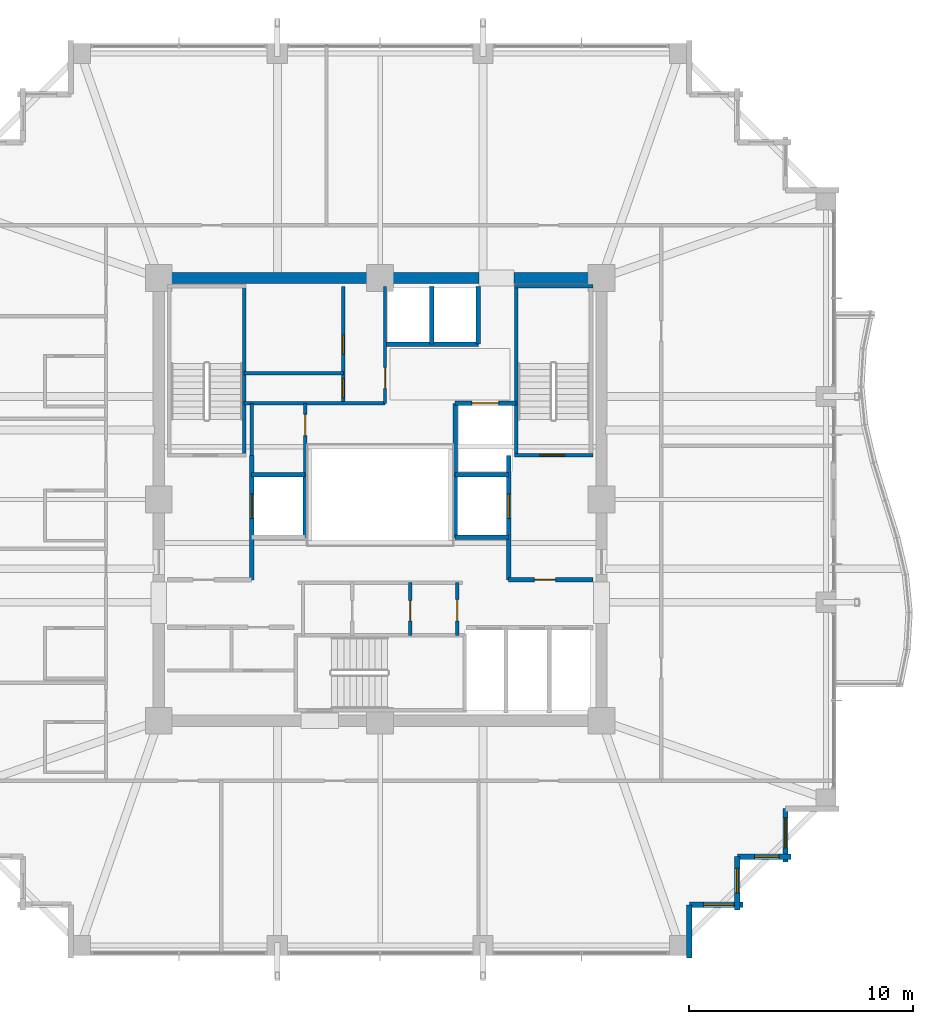
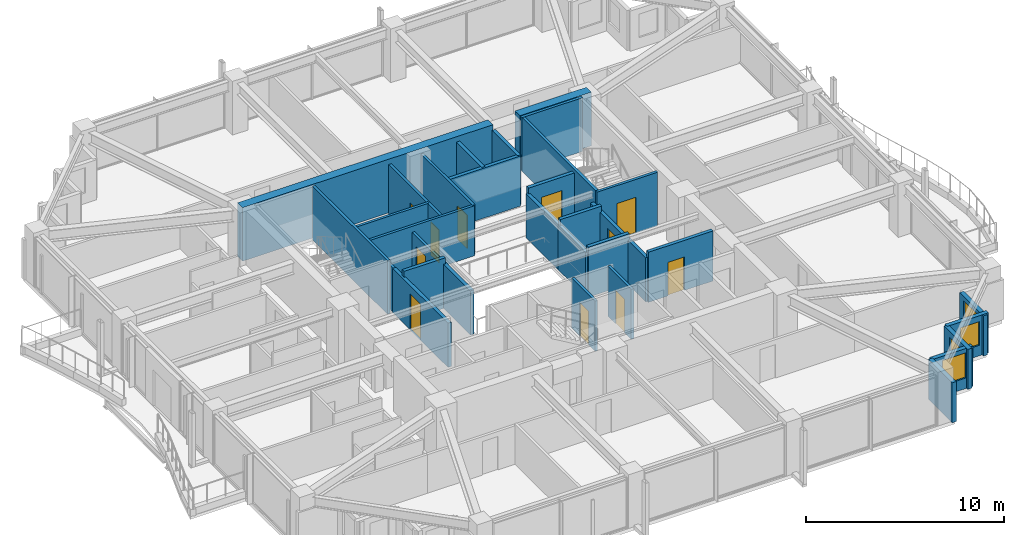
# One storey, part 31 of 35: 32 walls, 11 doors, 4 windows, 15 openings.
"""IFC4 building model written with IfcOpenShell, lengths in metres."""

from ifc_helpers import new_model, si_unit, direction, frame, frame_2d, origin, place, context, subcontext, project, spatial, rectangle, extrude, material, layer, layer_set, type_object, element, fill, save


model = new_model("IFC4")

# Units and contexts
model_context = context("Model", 3, precision=1e-05, world=origin(), true_north=direction((0.0, 1.0)))
body_context = subcontext(model_context, "Body", "Model", "MODEL_VIEW")
ifc_project = project(units=[si_unit("LENGTHUNIT", "METRE"), si_unit("AREAUNIT", "SQUARE_METRE"), si_unit("VOLUMEUNIT", "CUBIC_METRE"), si_unit("PLANEANGLEUNIT", "RADIAN"), si_unit("MASSUNIT", "GRAM", prefix="KILO")], contexts=[model_context])

# Site, building, storey
site_placement = place(None, origin())
site = spatial("IfcSite", under=ifc_project, at=site_placement, CompositionType="ELEMENT")
building_placement = place(site_placement, origin())
building = spatial("IfcBuilding", under=site, at=building_placement, Name="Kolvaren Belvedere", CompositionType="ELEMENT")
storey_placement = place(building_placement, frame((0.0, 0.0, 183.300048828125)))
storey = spatial("IfcBuildingStorey", under=building, at=storey_placement, Name="L53", CompositionType="ELEMENT", Elevation=183.300048828125)

# Walls
ifc_material_1 = material(Name="Concrete C50/60", Category="concrete")
ifc_layer_1 = layer(ifc_material_1, 0.5)
ifc_layer_set_1 = layer_set([ifc_layer_1], Name="Concrete C50/60")
wall_type_1 = type_object("IfcWallType", Name="CW-CORE-500", PredefinedType="SHEAR", material=ifc_layer_set_1)
wall_1_placement = place(storey_placement, frame((-10.14990234375, 9.89990234375, 0.0), z_axis=(0.0, 0.0, 1.0), x_axis=(1.0, 0.0, 0.0)))
element("IfcWall", 1, at=wall_1_placement, inside=storey, type_object=wall_type_1, Name="L53 North Core Shear Wall 1", PredefinedType="SHEAR", context=body_context, shape_type="SweptSolid", body=[
    extrude(rectangle(XDim=14.56982421875, YDim=0.5, at=frame_2d((7.284912109375, 0.0))), origin(), (0.0, 0.0, 1.0), 3.300048828125),
])
wall_2_placement = place(storey_placement, frame((5.97998046875, 9.89990234375, 0.0), z_axis=(0.0, 0.0, 1.0), x_axis=(1.0, 0.0, 0.0)))
element("IfcWall", 2, at=wall_2_placement, inside=storey, type_object=wall_type_1, Name="L53 North Core Shear Wall 2", PredefinedType="SHEAR", context=body_context, shape_type="SweptSolid", body=[
    extrude(rectangle(XDim=4.169921875, YDim=0.5, at=frame_2d((2.0849609375, 0.0))), origin(), (0.0, 0.0, 1.0), 3.300048828125),
])
ifc_material_2 = material(Name="Concrete C50/60", Category="concrete")
ifc_layer_2 = layer(ifc_material_2, 0.159912109375)
ifc_layer_set_2 = layer_set([ifc_layer_2], Name="Concrete C50/60")
wall_type_2 = type_object("IfcWallType", Name="CW-STAIR-160", PredefinedType="SHEAR", material=ifc_layer_set_2)
wall_3_placement = place(storey_placement, frame((-6.080078125, 1.969970703125, 0.0), z_axis=(0.0, 0.0, 1.0), x_axis=(0.0, 1.0, 0.0)))
element("IfcWall", 3, at=wall_3_placement, inside=storey, type_object=wall_type_2, Name="L53 Stair ST-1 East Shear Wall", PredefinedType="SHEAR", context=body_context, shape_type="SweptSolid", body=[
    extrude(rectangle(XDim=7.56005859375, YDim=0.159912109375, at=frame_2d((3.780029296875, 0.0))), origin(), (0.0, 0.0, 1.0), 3.300048828125),
])

# Wall, opening, door
wall_4_placement = place(storey_placement, frame((6.0, 1.969970703125, 0.0), z_axis=(0.0, 0.0, 1.0), x_axis=(1.0, 0.0, 0.0)))
wall_4 = element("IfcWall", 4, at=wall_4_placement, inside=storey, type_object=wall_type_2, Name="L53 Stair ST-2 South Shear Wall", PredefinedType="SHEAR", context=body_context, shape_type="SweptSolid", body=[
    extrude(rectangle(XDim=3.52001953125, YDim=0.159912109375, at=frame_2d((1.760009765625, 0.0))), origin(), (0.0, 0.0, 1.0), 3.300048828125),
])
opening_1_placement = place(wall_4_placement, frame((1.14990234375, 0.0, 0.0)))
opening_1 = element("IfcOpeningElement", 5, at=opening_1_placement, cuts=wall_4, Name="Opening D-FD90", PredefinedType="OPENING", context=body_context, shape_type="SweptSolid", body=[
    extrude(rectangle(XDim=1.10009765625, YDim=2.199951171875, at=frame_2d((0.550048828125, 1.10009765625))), frame((0.0, 0.08984375, 0.0), z_axis=(0.0, -1.0, 0.0), x_axis=(1.0, 0.0, 0.0)), (0.0, 0.0, 1.0), 0.179931640625),
])
ifc_material_3 = material(Name="Painted hollow stainless steel", Category="steel")
door_type_1 = type_object("IfcDoorType", Name="DR-FD90-1100", OperationType="NOTDEFINED", PredefinedType="DOOR", material=ifc_material_3)
door_1_placement = place(opening_1_placement, origin())
door_1 = element("IfcDoor", 6, at=door_1_placement, inside=storey, type_object=door_type_1, Name="L53 Stair ST-2 Fire Door", OperationType="SINGLE_SWING_RIGHT", OverallHeight=2.199951171875, OverallWidth=1.10009765625, PredefinedType="DOOR", context=body_context, shape_type="SweptSolid", body=[
    extrude(rectangle(XDim=1.10009765625, YDim=2.199951171875, at=frame_2d((0.550048828125, 1.10009765625))), frame((0.0, 0.02490234375, 0.0), z_axis=(0.0, -1.0, 0.0), x_axis=(1.0, 0.0, 0.0)), (0.0, 0.0, 1.0), 0.050048828125),
])
fill(opening_1, door_1)

# Walls
wall_5_placement = place(storey_placement, frame((6.0, 9.530029296875, 0.0), z_axis=(0.0, 0.0, 1.0), x_axis=(1.0, 0.0, 0.0)))
element("IfcWall", 7, at=wall_5_placement, inside=storey, type_object=wall_type_2, Name="L53 Stair ST-2 North Shear Wall", PredefinedType="SHEAR", context=body_context, shape_type="SweptSolid", body=[
    extrude(rectangle(XDim=3.52001953125, YDim=0.159912109375, at=frame_2d((1.760009765625, 0.0))), origin(), (0.0, 0.0, 1.0), 3.300048828125),
])
wall_6_placement = place(storey_placement, frame((6.080078125, 1.969970703125, 0.0), z_axis=(0.0, 0.0, 1.0), x_axis=(0.0, 1.0, 0.0)))
element("IfcWall", 8, at=wall_6_placement, inside=storey, type_object=wall_type_2, Name="L53 Stair ST-2 West Shear Wall", PredefinedType="SHEAR", context=body_context, shape_type="SweptSolid", body=[
    extrude(rectangle(XDim=7.56005859375, YDim=0.159912109375, at=frame_2d((3.780029296875, 0.0))), origin(), (0.0, 0.0, 1.0), 3.300048828125),
])
ifc_material_4 = material(Name="Insulated pale-metal facade wall assembly", Category="aluminium")
ifc_layer_3 = layer(ifc_material_4, 0.239990234375)
ifc_layer_set_3 = layer_set([ifc_layer_3], Name="Insulated pale-metal facade wall assembly")
wall_type_3 = type_object("IfcWallType", Name="WL-EXT-240", PredefinedType="STANDARD", material=ifc_layer_set_3)
wall_7_placement = place(storey_placement, frame((13.830078125, -18.1298828125, 0.0), z_axis=(0.0, 0.0, 1.0), x_axis=(0.0, -1.0, 0.0)))
element("IfcWall", 9, at=wall_7_placement, inside=storey, type_object=wall_type_3, Name="L53 Serrated Corner Facade Wall 2", PredefinedType="STANDARD", context=body_context, shape_type="SweptSolid", body=[
    extrude(rectangle(XDim=2.39013671875, YDim=0.239990234375, at=frame_2d((1.195068359375, 0.0))), origin(), (0.0, 0.0, 1.0), 2.462890625),
])

# Wall, opening, window
wall_8_placement = place(storey_placement, frame((16.219970703125, -18.1298828125, 0.0), z_axis=(0.0, 0.0, 1.0), x_axis=(-1.0, 0.0, 0.0)))
wall_8 = element("IfcWall", 10, at=wall_8_placement, inside=storey, type_object=wall_type_3, Name="L53 Serrated Corner Facade Wall 3", PredefinedType="STANDARD", context=body_context, shape_type="SweptSolid", body=[
    extrude(rectangle(XDim=2.389892578125, YDim=0.239990234375, at=frame_2d((1.19482421875, 0.0))), origin(), (0.0, 0.0, 1.0), 2.462890625),
])
opening_2_placement = place(wall_8_placement, frame((0.39990234375, 0.0, 0.64990234375)))
opening_2 = element("IfcOpeningElement", 11, at=opening_2_placement, cuts=wall_8, Name="Opening W-1350", PredefinedType="OPENING", context=body_context, shape_type="SweptSolid", body=[
    extrude(rectangle(XDim=1.35009765625, YDim=1.550048828125, at=frame_2d((0.675048828125, 0.77490234375))), frame((0.0, 0.1298828125, 0.0), z_axis=(0.0, -1.0, 0.0), x_axis=(1.0, 0.0, 0.0)), (0.0, 0.0, 1.0), 0.260009765625),
])
ifc_material_5 = material(Name="Low-iron triple insulated glass", Category="glass")
window_type_1 = type_object("IfcWindowType", Name="WN-CORN-1350", PartitioningType="SINGLE_PANEL", PredefinedType="WINDOW", material=ifc_material_5)
window_1_placement = place(opening_2_placement, origin())
window_1 = element("IfcWindow", 12, at=window_1_placement, inside=storey, type_object=window_type_1, Name="L53 Serrated Corner Vision Window 3", OverallHeight=1.550048828125, OverallWidth=1.35009765625, PartitioningType="SINGLE_PANEL", PredefinedType="WINDOW", context=body_context, shape_type="SweptSolid", body=[
    extrude(rectangle(XDim=1.35009765625, YDim=1.550048828125, at=frame_2d((0.675048828125, 0.77490234375))), frame((0.0, 0.030029296875, 0.0), z_axis=(0.0, -1.0, 0.0), x_axis=(1.0, 0.0, 0.0)), (0.0, 0.0, 1.0), 0.06005859375),
])
fill(opening_2, window_1)

wall_9_placement = place(storey_placement, frame((15.97998046875, -15.97998046875, 0.0), z_axis=(0.0, 0.0, 1.0), x_axis=(0.0, -1.0, 0.0)))
wall_9 = element("IfcWall", 13, at=wall_9_placement, inside=storey, type_object=wall_type_3, Name="L53 Serrated Corner Facade Wall 4", PredefinedType="STANDARD", context=body_context, shape_type="SweptSolid", body=[
    extrude(rectangle(XDim=2.39013671875, YDim=0.239990234375, at=frame_2d((1.195068359375, 0.0))), origin(), (0.0, 0.0, 1.0), 2.462890625),
])
opening_3_placement = place(wall_9_placement, frame((0.52490234375, 0.0, 0.64990234375)))
opening_3 = element("IfcOpeningElement", 14, at=opening_3_placement, cuts=wall_9, Name="Opening W-1100", PredefinedType="OPENING", context=body_context, shape_type="SweptSolid", body=[
    extrude(rectangle(XDim=1.10009765625, YDim=1.449951171875, at=frame_2d((0.550048828125, 0.72509765625))), frame((0.0, 0.1298828125, 0.0), z_axis=(0.0, -1.0, 0.0), x_axis=(1.0, 0.0, 0.0)), (0.0, 0.0, 1.0), 0.260009765625),
])
ifc_material_6 = material(Name="Low-iron triple insulated glass", Category="glass")
window_type_2 = type_object("IfcWindowType", Name="WN-CORN-1100", PartitioningType="SINGLE_PANEL", PredefinedType="WINDOW", material=ifc_material_6)
window_2_placement = place(opening_3_placement, origin())
window_2 = element("IfcWindow", 15, at=window_2_placement, inside=storey, type_object=window_type_2, Name="L53 Serrated Corner Vision Window 4", OverallHeight=1.449951171875, OverallWidth=1.10009765625, PartitioningType="SINGLE_PANEL", PredefinedType="WINDOW", context=body_context, shape_type="SweptSolid", body=[
    extrude(rectangle(XDim=1.10009765625, YDim=1.449951171875, at=frame_2d((0.550048828125, 0.72509765625))), frame((0.0, 0.030029296875, 0.0), z_axis=(0.0, -1.0, 0.0), x_axis=(1.0, 0.0, 0.0)), (0.0, 0.0, 1.0), 0.06005859375),
])
fill(opening_3, window_2)

wall_10_placement = place(storey_placement, frame((18.3701171875, -15.97998046875, 0.0), z_axis=(0.0, 0.0, 1.0), x_axis=(-1.0, 0.0, 0.0)))
wall_10 = element("IfcWall", 16, at=wall_10_placement, inside=storey, type_object=wall_type_3, Name="L53 Serrated Corner Facade Wall 5", PredefinedType="STANDARD", context=body_context, shape_type="SweptSolid", body=[
    extrude(rectangle(XDim=2.39013671875, YDim=0.239990234375, at=frame_2d((1.195068359375, 0.0))), origin(), (0.0, 0.0, 1.0), 2.462890625),
])
opening_4_placement = place(wall_10_placement, frame((0.52490234375, 0.0, 0.64990234375)))
opening_4 = element("IfcOpeningElement", 17, at=opening_4_placement, cuts=wall_10, Name="Opening W-1100", PredefinedType="OPENING", context=body_context, shape_type="SweptSolid", body=[
    extrude(rectangle(XDim=1.10009765625, YDim=1.449951171875, at=frame_2d((0.550048828125, 0.72509765625))), frame((0.0, 0.1298828125, 0.0), z_axis=(0.0, -1.0, 0.0), x_axis=(1.0, 0.0, 0.0)), (0.0, 0.0, 1.0), 0.260009765625),
])
window_3_placement = place(opening_4_placement, origin())
window_3 = element("IfcWindow", 18, at=window_3_placement, inside=storey, type_object=window_type_2, Name="L53 Serrated Corner Vision Window 5", OverallHeight=1.449951171875, OverallWidth=1.10009765625, PartitioningType="SINGLE_PANEL", PredefinedType="WINDOW", context=body_context, shape_type="SweptSolid", body=[
    extrude(rectangle(XDim=1.10009765625, YDim=1.449951171875, at=frame_2d((0.550048828125, 0.72509765625))), frame((0.0, 0.030029296875, 0.0), z_axis=(0.0, -1.0, 0.0), x_axis=(1.0, 0.0, 0.0)), (0.0, 0.0, 1.0), 0.06005859375),
])
fill(opening_4, window_3)

wall_11_placement = place(storey_placement, frame((18.1298828125, -13.830078125, 0.0), z_axis=(0.0, 0.0, 1.0), x_axis=(0.0, -1.0, 0.0)))
wall_11 = element("IfcWall", 19, at=wall_11_placement, inside=storey, type_object=wall_type_3, Name="L53 Serrated Corner Facade Wall 6", PredefinedType="STANDARD", context=body_context, shape_type="SweptSolid", body=[
    extrude(rectangle(XDim=2.389892578125, YDim=0.239990234375, at=frame_2d((1.19482421875, 0.0))), origin(), (0.0, 0.0, 1.0), 2.462890625),
])
opening_5_placement = place(wall_11_placement, frame((0.39990234375, 0.0, 0.64990234375)))
opening_5 = element("IfcOpeningElement", 20, at=opening_5_placement, cuts=wall_11, Name="Opening W-1350", PredefinedType="OPENING", context=body_context, shape_type="SweptSolid", body=[
    extrude(rectangle(XDim=1.35009765625, YDim=1.550048828125, at=frame_2d((0.675048828125, 0.77490234375))), frame((0.0, 0.1298828125, 0.0), z_axis=(0.0, -1.0, 0.0), x_axis=(1.0, 0.0, 0.0)), (0.0, 0.0, 1.0), 0.260009765625),
])
window_4_placement = place(opening_5_placement, origin())
window_4 = element("IfcWindow", 21, at=window_4_placement, inside=storey, type_object=window_type_1, Name="L53 Serrated Corner Vision Window 6", OverallHeight=1.550048828125, OverallWidth=1.35009765625, PartitioningType="SINGLE_PANEL", PredefinedType="WINDOW", context=body_context, shape_type="SweptSolid", body=[
    extrude(rectangle(XDim=1.35009765625, YDim=1.550048828125, at=frame_2d((0.675048828125, 0.77490234375))), frame((0.0, 0.030029296875, 0.0), z_axis=(0.0, -1.0, 0.0), x_axis=(1.0, 0.0, 0.0)), (0.0, 0.0, 1.0), 0.06005859375),
])
fill(opening_5, window_4)

# Wall
ifc_material_7 = material(Name="Gypsum acoustic partition assembly", Category="gypsum")
ifc_layer_4 = layer(ifc_material_7, 0.14990234375)
ifc_layer_set_4 = layer_set([ifc_layer_4], Name="Gypsum acoustic partition assembly")
wall_type_4 = type_object("IfcWallType", Name="WL-PART-150", PredefinedType="PARTITIONING", material=ifc_layer_set_4)
wall_12_placement = place(storey_placement, frame((-6.080078125, 4.300048828125, 0.0), z_axis=(0.0, 0.0, 1.0), x_axis=(1.0, 0.0, 0.0)))
element("IfcWall", 22, at=wall_12_placement, inside=storey, type_object=wall_type_4, Name="L53 Reclaimed Salon South Wall", PredefinedType="PARTITIONING", context=body_context, shape_type="SweptSolid", body=[
    extrude(rectangle(XDim=6.300048828125, YDim=0.14990234375, at=frame_2d((3.14990234375, 0.0))), origin(), (0.0, 0.0, 1.0), 3.079833984375),
])

# Wall, opening, door
wall_13_placement = place(storey_placement, frame((0.219970703125, 4.300048828125, 0.0), z_axis=(0.0, 0.0, 1.0), x_axis=(0.0, 1.0, 0.0)))
wall_13 = element("IfcWall", 23, at=wall_13_placement, inside=storey, type_object=wall_type_4, Name="L53 Reclaimed Salon East Wall", PredefinedType="PARTITIONING", context=body_context, shape_type="SweptSolid", body=[
    extrude(rectangle(XDim=5.219970703125, YDim=0.14990234375, at=frame_2d((2.60986328125, 0.0))), origin(), (0.0, 0.0, 1.0), 3.079833984375),
])
opening_6_placement = place(wall_13_placement, frame((0.64990234375, 0.0, 0.0)))
opening_6 = element("IfcOpeningElement", 24, at=opening_6_placement, cuts=wall_13, Name="Opening D-INT95", PredefinedType="OPENING", context=body_context, shape_type="SweptSolid", body=[
    extrude(rectangle(XDim=0.949951171875, YDim=2.06005859375, at=frame_2d((0.47509765625, 1.030029296875))), frame((0.0, 0.0849609375, 0.0), z_axis=(0.0, -1.0, 0.0), x_axis=(1.0, 0.0, 0.0)), (0.0, 0.0, 1.0), 0.169921875),
])
ifc_material_8 = material(Name="Stained Pacific white oak", Category="timber")
door_type_2 = type_object("IfcDoorType", Name="DR-INT-950", OperationType="NOTDEFINED", PredefinedType="DOOR", material=ifc_material_8)
door_2_placement = place(opening_6_placement, origin())
door_2 = element("IfcDoor", 25, at=door_2_placement, inside=storey, type_object=door_type_2, Name="L53 Wellness Tearoom Door", OperationType="SINGLE_SWING_LEFT", OverallHeight=2.06005859375, OverallWidth=0.949951171875, PredefinedType="DOOR", context=body_context, shape_type="SweptSolid", body=[
    extrude(rectangle(XDim=0.949951171875, YDim=2.06005859375, at=frame_2d((0.47509765625, 1.030029296875))), frame((0.0, 0.02490234375, 0.0), z_axis=(0.0, -1.0, 0.0), x_axis=(1.0, 0.0, 0.0)), (0.0, 0.0, 1.0), 0.050048828125),
])
fill(opening_6, door_2)

# Wall, openings, doors
wall_14_placement = place(storey_placement, frame((-1.64990234375, 4.300048828125, 0.0), z_axis=(0.0, 0.0, 1.0), x_axis=(0.0, 1.0, 0.0)))
wall_14 = element("IfcWall", 26, at=wall_14_placement, inside=storey, type_object=wall_type_4, Name="L53 Reclaimed Tearoom V-Divider", PredefinedType="PARTITIONING", context=body_context, shape_type="SweptSolid", body=[
    extrude(rectangle(XDim=5.219970703125, YDim=0.14990234375, at=frame_2d((2.60986328125, 0.0))), origin(), (0.0, 0.0, 1.0), 3.079833984375),
])
opening_7_placement = place(wall_14_placement, frame((2.199951171875, 0.0, 0.0)))
opening_7 = element("IfcOpeningElement", 27, at=opening_7_placement, cuts=wall_14, Name="Opening D-INT85", PredefinedType="OPENING", context=body_context, shape_type="SweptSolid", body=[
    extrude(rectangle(XDim=0.85009765625, YDim=2.030029296875, at=frame_2d((0.425048828125, 1.01513671875))), frame((0.0, 0.0849609375, 0.0), z_axis=(0.0, -1.0, 0.0), x_axis=(1.0, 0.0, 0.0)), (0.0, 0.0, 1.0), 0.169921875),
])
opening_8_placement = place(wall_14_placement, frame((0.25, 0.0, 0.0)))
opening_8 = element("IfcOpeningElement", 28, at=opening_8_placement, cuts=wall_14, Name="Opening D-INT85", PredefinedType="OPENING", context=body_context, shape_type="SweptSolid", body=[
    extrude(rectangle(XDim=0.85009765625, YDim=2.030029296875, at=frame_2d((0.425048828125, 1.01513671875))), frame((0.0, 0.0849609375, 0.0), z_axis=(0.0, -1.0, 0.0), x_axis=(1.0, 0.0, 0.0)), (0.0, 0.0, 1.0), 0.169921875),
])
ifc_material_9 = material(Name="Stained Pacific white oak", Category="timber")
door_type_3 = type_object("IfcDoorType", Name="DR-INT-850", OperationType="NOTDEFINED", PredefinedType="DOOR", material=ifc_material_9)
door_3_placement = place(opening_7_placement, origin())
door_3 = element("IfcDoor", 29, at=door_3_placement, inside=storey, type_object=door_type_3, Name="L53 Meditation Room Door", OperationType="SINGLE_SWING_RIGHT", OverallHeight=2.030029296875, OverallWidth=0.85009765625, PredefinedType="DOOR", context=body_context, shape_type="SweptSolid", body=[
    extrude(rectangle(XDim=0.85009765625, YDim=2.030029296875, at=frame_2d((0.425048828125, 1.01513671875))), frame((0.0, 0.02490234375, 0.0), z_axis=(0.0, -1.0, 0.0), x_axis=(1.0, 0.0, 0.0)), (0.0, 0.0, 1.0), 0.050048828125),
])
fill(opening_7, door_3)
door_4_placement = place(opening_8_placement, origin())
door_4 = element("IfcDoor", 30, at=door_4_placement, inside=storey, type_object=door_type_3, Name="L53 Herbal Closet Door", OperationType="SINGLE_SWING_RIGHT", OverallHeight=2.030029296875, OverallWidth=0.85009765625, PredefinedType="DOOR", context=body_context, shape_type="SweptSolid", body=[
    extrude(rectangle(XDim=0.85009765625, YDim=2.030029296875, at=frame_2d((0.425048828125, 1.01513671875))), frame((0.0, 0.02490234375, 0.0), z_axis=(0.0, -1.0, 0.0), x_axis=(1.0, 0.0, 0.0)), (0.0, 0.0, 1.0), 0.050048828125),
])
fill(opening_8, door_4)

# Wall
wall_15_placement = place(storey_placement, frame((-6.080078125, 5.64990234375, 0.0), z_axis=(0.0, 0.0, 1.0), x_axis=(1.0, 0.0, 0.0)))
element("IfcWall", 31, at=wall_15_placement, inside=storey, type_object=wall_type_4, Name="L53 Reclaimed Tearoom H-Divider", PredefinedType="PARTITIONING", context=body_context, shape_type="SweptSolid", body=[
    extrude(rectangle(XDim=4.43017578125, YDim=0.14990234375, at=frame_2d((2.215087890625, 0.0))), origin(), (0.0, 0.0, 1.0), 3.079833984375),
])

# Wall, opening, door
wall_16_placement = place(storey_placement, frame((3.449951171875, -6.080078125, 0.0), z_axis=(0.0, 0.0, 1.0), x_axis=(0.0, 1.0, 0.0)))
wall_16 = element("IfcWall", 32, at=wall_16_placement, inside=storey, type_object=wall_type_4, Name="L53 South Core Service East Wall", PredefinedType="PARTITIONING", context=body_context, shape_type="SweptSolid", body=[
    extrude(rectangle(XDim=2.360107421875, YDim=0.14990234375, at=frame_2d((1.18017578125, 0.0))), origin(), (0.0, 0.0, 1.0), 3.079833984375),
])
opening_9_placement = place(wall_16_placement, frame((0.64990234375, 0.0, 0.0)))
opening_9 = element("IfcOpeningElement", 33, at=opening_9_placement, cuts=wall_16, Name="Opening D-FD60", PredefinedType="OPENING", context=body_context, shape_type="SweptSolid", body=[
    extrude(rectangle(XDim=0.949951171875, YDim=2.06005859375, at=frame_2d((0.47509765625, 1.030029296875))), frame((0.0, 0.0849609375, 0.0), z_axis=(0.0, -1.0, 0.0), x_axis=(1.0, 0.0, 0.0)), (0.0, 0.0, 1.0), 0.169921875),
])
ifc_material_10 = material(Name="Acoustic white-oak fire door leaf", Category="timber")
door_type_4 = type_object("IfcDoorType", Name="DR-FD60-950", OperationType="NOTDEFINED", PredefinedType="DOOR", material=ifc_material_10)
door_5_placement = place(opening_9_placement, origin())
door_5 = element("IfcDoor", 34, at=door_5_placement, inside=storey, type_object=door_type_4, Name="L53 Core Service Room Door", OperationType="SINGLE_SWING_LEFT", OverallHeight=2.06005859375, OverallWidth=0.949951171875, PredefinedType="DOOR", context=body_context, shape_type="SweptSolid", body=[
    extrude(rectangle(XDim=0.949951171875, YDim=2.06005859375, at=frame_2d((0.47509765625, 1.030029296875))), frame((0.0, 0.02490234375, 0.0), z_axis=(0.0, -1.0, 0.0), x_axis=(1.0, 0.0, 0.0)), (0.0, 0.0, 1.0), 0.050048828125),
])
fill(opening_9, door_5)

wall_17_placement = place(storey_placement, frame((1.35009765625, -6.080078125, 0.0), z_axis=(0.0, 0.0, 1.0), x_axis=(0.0, 1.0, 0.0)))
wall_17 = element("IfcWall", 35, at=wall_17_placement, inside=storey, type_object=wall_type_4, Name="L53 Core Service Divider 1", PredefinedType="PARTITIONING", context=body_context, shape_type="SweptSolid", body=[
    extrude(rectangle(XDim=2.360107421875, YDim=0.14990234375, at=frame_2d((1.18017578125, 0.0))), origin(), (0.0, 0.0, 1.0), 3.079833984375),
])
opening_10_placement = place(wall_17_placement, frame((0.64990234375, 0.0, 0.0)))
opening_10 = element("IfcOpeningElement", 36, at=opening_10_placement, cuts=wall_17, Name="Opening D-INT90", PredefinedType="OPENING", context=body_context, shape_type="SweptSolid", body=[
    extrude(rectangle(XDim=0.89990234375, YDim=2.06005859375, at=frame_2d((0.449951171875, 1.030029296875))), frame((0.0, 0.0849609375, 0.0), z_axis=(0.0, -1.0, 0.0), x_axis=(1.0, 0.0, 0.0)), (0.0, 0.0, 1.0), 0.169921875),
])
ifc_material_11 = material(Name="Stained Pacific white oak", Category="timber")
door_type_5 = type_object("IfcDoorType", Name="DR-INT-900", OperationType="NOTDEFINED", PredefinedType="DOOR", material=ifc_material_11)
door_6_placement = place(opening_10_placement, origin())
door_6 = element("IfcDoor", 37, at=door_6_placement, inside=storey, type_object=door_type_5, Name="L53 Data Closet Door", OperationType="SINGLE_SWING_RIGHT", OverallHeight=2.06005859375, OverallWidth=0.89990234375, PredefinedType="DOOR", context=body_context, shape_type="SweptSolid", body=[
    extrude(rectangle(XDim=0.89990234375, YDim=2.06005859375, at=frame_2d((0.449951171875, 1.030029296875))), frame((0.0, 0.02490234375, 0.0), z_axis=(0.0, -1.0, 0.0), x_axis=(1.0, 0.0, 0.0)), (0.0, 0.0, 1.0), 0.050048828125),
])
fill(opening_10, door_6)

wall_18_placement = place(storey_placement, frame((-3.35009765625, 1.10009765625, 0.0), z_axis=(0.0, 0.0, 1.0), x_axis=(0.0, 1.0, 0.0)))
wall_18 = element("IfcWall", 38, at=wall_18_placement, inside=storey, type_object=wall_type_4, Name="L53 NW Service Room East Wall", PredefinedType="PARTITIONING", context=body_context, shape_type="SweptSolid", body=[
    extrude(rectangle(XDim=3.199951171875, YDim=0.14990234375, at=frame_2d((1.60009765625, 0.0))), origin(), (0.0, 0.0, 1.0), 2.71484375),
])
opening_11_placement = place(wall_18_placement, frame((1.75, 0.0, 0.0)))
opening_11 = element("IfcOpeningElement", 39, at=opening_11_placement, cuts=wall_18, Name="Opening D-FD60", PredefinedType="OPENING", context=body_context, shape_type="SweptSolid", body=[
    extrude(rectangle(XDim=0.949951171875, YDim=2.06005859375, at=frame_2d((0.47509765625, 1.030029296875))), frame((0.0, 0.0849609375, 0.0), z_axis=(0.0, -1.0, 0.0), x_axis=(1.0, 0.0, 0.0)), (0.0, 0.0, 1.0), 0.169921875),
])
door_7_placement = place(opening_11_placement, origin())
door_7 = element("IfcDoor", 40, at=door_7_placement, inside=storey, type_object=door_type_4, Name="L53 NW Core Store Door", OperationType="SINGLE_SWING_LEFT", OverallHeight=2.06005859375, OverallWidth=0.949951171875, PredefinedType="DOOR", context=body_context, shape_type="SweptSolid", body=[
    extrude(rectangle(XDim=0.949951171875, YDim=2.06005859375, at=frame_2d((0.47509765625, 1.030029296875))), frame((0.0, 0.02490234375, 0.0), z_axis=(0.0, -1.0, 0.0), x_axis=(1.0, 0.0, 0.0)), (0.0, 0.0, 1.0), 0.050048828125),
])
fill(opening_11, door_7)

# Wall
wall_19_placement = place(storey_placement, frame((-5.75, 1.969970703125, 0.0), z_axis=(0.0, 0.0, 1.0), x_axis=(0.0, 1.0, 0.0)))
element("IfcWall", 41, at=wall_19_placement, inside=storey, type_object=wall_type_4, Name="L53 NW Service Room West Wall", PredefinedType="PARTITIONING", context=body_context, shape_type="SweptSolid", body=[
    extrude(rectangle(XDim=2.330078125, YDim=0.14990234375, at=frame_2d((1.1650390625, 0.0))), origin(), (0.0, 0.0, 1.0), 2.71484375),
])

# Wall, opening, door
ifc_material_12 = material(Name="Concrete C50/60", Category="concrete")
ifc_layer_5 = layer(ifc_material_12, 0.199951171875)
ifc_layer_set_5 = layer_set([ifc_layer_5], Name="Concrete C50/60")
wall_type_5 = type_object("IfcWallType", Name="WL-SHAFT-200", PredefinedType="SOLIDWALL", material=ifc_layer_set_5)
wall_20_placement = place(storey_placement, frame((-5.75, -3.60009765625, 0.0), z_axis=(0.0, 0.0, 1.0), x_axis=(0.0, 1.0, 0.0)))
wall_20 = element("IfcWall", 42, at=wall_20_placement, inside=storey, type_object=wall_type_5, Name="L53 FSAE FS1 Landing Wall", PredefinedType="SOLIDWALL", context=body_context, shape_type="SweptSolid", body=[
    extrude(rectangle(XDim=5.570068359375, YDim=0.199951171875, at=frame_2d((2.78515625, 0.0))), origin(), (0.0, 0.0, 1.0), 2.71484375),
])
opening_12_placement = place(wall_20_placement, frame((2.75, 0.0, 0.0)))
opening_12 = element("IfcOpeningElement", 43, at=opening_12_placement, cuts=wall_20, Name="Opening LD-11", PredefinedType="OPENING", context=body_context, shape_type="SweptSolid", body=[
    extrude(rectangle(XDim=1.10009765625, YDim=2.199951171875, at=frame_2d((0.550048828125, 1.10009765625))), frame((0.0, 0.10986328125, 0.0), z_axis=(0.0, -1.0, 0.0), x_axis=(1.0, 0.0, 0.0)), (0.0, 0.0, 1.0), 0.219970703125),
])
ifc_material_13 = material(Name="Brushed stainless steel", Category="steel")
door_type_6 = type_object("IfcDoorType", Name="DR-LIFT-1100", OperationType="DOUBLE_DOOR_SLIDING", PredefinedType="DOOR", material=ifc_material_13)
door_8_placement = place(opening_12_placement, origin())
door_8 = element("IfcDoor", 44, at=door_8_placement, inside=storey, type_object=door_type_6, Name="L53 Firefighting Lift FS1 Landing Door", OperationType="DOUBLE_DOOR_SLIDING", OverallHeight=2.199951171875, OverallWidth=1.10009765625, PredefinedType="DOOR", context=body_context, shape_type="SweptSolid", body=[
    extrude(rectangle(XDim=1.10009765625, YDim=2.199951171875, at=frame_2d((0.550048828125, 1.10009765625))), frame((0.0, 0.02490234375, 0.0), z_axis=(0.0, -1.0, 0.0), x_axis=(1.0, 0.0, 0.0)), (0.0, 0.0, 1.0), 0.050048828125),
])
fill(opening_12, door_8)

# Walls
wall_21_placement = place(storey_placement, frame((-3.35009765625, -1.699951171875, 0.0), z_axis=(0.0, 0.0, 1.0), x_axis=(0.0, 1.0, 0.0)))
element("IfcWall", 45, at=wall_21_placement, inside=storey, type_object=wall_type_5, Name="L53 FSAE FS1 Back Wall", PredefinedType="SOLIDWALL", context=body_context, shape_type="SweptSolid", body=[
    extrude(rectangle(XDim=2.800048828125, YDim=0.199951171875, at=frame_2d((1.39990234375, 0.0))), origin(), (0.0, 0.0, 1.0), 2.71484375),
])
wall_22_placement = place(storey_placement, frame((-5.75, 1.10009765625, 0.0), z_axis=(0.0, 0.0, 1.0), x_axis=(1.0, 0.0, 0.0)))
element("IfcWall", 46, at=wall_22_placement, inside=storey, type_object=wall_type_5, Name="L53 FSAE FS1 North Wall", PredefinedType="SOLIDWALL", context=body_context, shape_type="SweptSolid", body=[
    extrude(rectangle(XDim=2.39990234375, YDim=0.199951171875, at=frame_2d((1.199951171875, 0.0))), origin(), (0.0, 0.0, 1.0), 3.079833984375),
])

# Wall, opening, door
wall_23_placement = place(storey_placement, frame((5.75, -3.60009765625, 0.0), z_axis=(0.0, 0.0, 1.0), x_axis=(1.0, 0.0, 0.0)))
wall_23 = element("IfcWall", 47, at=wall_23_placement, inside=storey, type_object=wall_type_5, Name="L53 East FSAE Lobby South Wall", PredefinedType="SOLIDWALL", context=body_context, shape_type="SweptSolid", body=[
    extrude(rectangle(XDim=3.77001953125, YDim=0.199951171875, at=frame_2d((1.885009765625, 0.0))), origin(), (0.0, 0.0, 1.0), 3.079833984375),
])
opening_13_placement = place(wall_23_placement, frame((1.14990234375, 0.0, 0.0)))
opening_13 = element("IfcOpeningElement", 48, at=opening_13_placement, cuts=wall_23, Name="Opening D-FD60", PredefinedType="OPENING", context=body_context, shape_type="SweptSolid", body=[
    extrude(rectangle(XDim=0.949951171875, YDim=2.06005859375, at=frame_2d((0.47509765625, 1.030029296875))), frame((0.0, 0.10986328125, 0.0), z_axis=(0.0, -1.0, 0.0), x_axis=(1.0, 0.0, 0.0)), (0.0, 0.0, 1.0), 0.219970703125),
])
door_9_placement = place(opening_13_placement, origin())
door_9 = element("IfcDoor", 49, at=door_9_placement, inside=storey, type_object=door_type_4, Name="L53 SE Lift Lobby Fire Door", OperationType="SINGLE_SWING_RIGHT", OverallHeight=2.06005859375, OverallWidth=0.949951171875, PredefinedType="DOOR", context=body_context, shape_type="SweptSolid", body=[
    extrude(rectangle(XDim=0.949951171875, YDim=2.06005859375, at=frame_2d((0.47509765625, 1.030029296875))), frame((0.0, 0.02490234375, 0.0), z_axis=(0.0, -1.0, 0.0), x_axis=(1.0, 0.0, 0.0)), (0.0, 0.0, 1.0), 0.050048828125),
])
fill(opening_13, door_9)

wall_24_placement = place(storey_placement, frame((5.75, -3.60009765625, 0.0), z_axis=(0.0, 0.0, 1.0), x_axis=(0.0, 1.0, 0.0)))
wall_24 = element("IfcWall", 50, at=wall_24_placement, inside=storey, type_object=wall_type_5, Name="L53 FSAE FS2 Landing Wall", PredefinedType="SOLIDWALL", context=body_context, shape_type="SweptSolid", body=[
    extrude(rectangle(XDim=5.570068359375, YDim=0.199951171875, at=frame_2d((2.78515625, 0.0))), origin(), (0.0, 0.0, 1.0), 2.71484375),
])
opening_14_placement = place(wall_24_placement, frame((2.75, 0.0, 0.0)))
opening_14 = element("IfcOpeningElement", 51, at=opening_14_placement, cuts=wall_24, Name="Opening LD-11", PredefinedType="OPENING", context=body_context, shape_type="SweptSolid", body=[
    extrude(rectangle(XDim=1.10009765625, YDim=2.199951171875, at=frame_2d((0.550048828125, 1.10009765625))), frame((0.0, 0.10986328125, 0.0), z_axis=(0.0, -1.0, 0.0), x_axis=(1.0, 0.0, 0.0)), (0.0, 0.0, 1.0), 0.219970703125),
])
door_10_placement = place(opening_14_placement, origin())
door_10 = element("IfcDoor", 52, at=door_10_placement, inside=storey, type_object=door_type_6, Name="L53 Firefighting Lift FS2 Landing Door", OperationType="DOUBLE_DOOR_SLIDING", OverallHeight=2.199951171875, OverallWidth=1.10009765625, PredefinedType="DOOR", context=body_context, shape_type="SweptSolid", body=[
    extrude(rectangle(XDim=1.10009765625, YDim=2.199951171875, at=frame_2d((0.550048828125, 1.10009765625))), frame((0.0, 0.02490234375, 0.0), z_axis=(0.0, -1.0, 0.0), x_axis=(1.0, 0.0, 0.0)), (0.0, 0.0, 1.0), 0.050048828125),
])
fill(opening_14, door_10)

# Walls
wall_25_placement = place(storey_placement, frame((3.35009765625, -1.699951171875, 0.0), z_axis=(0.0, 0.0, 1.0), x_axis=(0.0, 1.0, 0.0)))
element("IfcWall", 53, at=wall_25_placement, inside=storey, type_object=wall_type_5, Name="L53 FSAE FS2 Back Wall", PredefinedType="SOLIDWALL", context=body_context, shape_type="SweptSolid", body=[
    extrude(rectangle(XDim=2.800048828125, YDim=0.199951171875, at=frame_2d((1.39990234375, 0.0))), origin(), (0.0, 0.0, 1.0), 2.71484375),
])
for number, where, z_axis, x_axis, name in (
    (54, (3.35009765625, -1.699951171875, 0.0), (0.0, 0.0, 1.0), (1.0, 0.0, 0.0), "L53 FSAE FS2 South Wall"),
    (55, (3.35009765625, 1.10009765625, 0.0), (0.0, 0.0, 1.0), (1.0, 0.0, 0.0), "L53 FSAE FS2 North Wall"),
):
    element("IfcWall", number, at=place(storey_placement, frame(where, z_axis=z_axis, x_axis=x_axis)), inside=storey, type_object=wall_type_5, Name=name, PredefinedType="SOLIDWALL", context=body_context, shape_type="SweptSolid", body=[
        extrude(rectangle(XDim=2.39990234375, YDim=0.199951171875, at=frame_2d((1.199951171875, 0.0))), origin(), (0.0, 0.0, 1.0), 3.079833984375),
    ])

# Wall, opening, door
wall_26_placement = place(storey_placement, frame((3.35009765625, 4.300048828125, 0.0), z_axis=(0.0, 0.0, 1.0), x_axis=(1.0, 0.0, 0.0)))
wall_26 = element("IfcWall", 56, at=wall_26_placement, inside=storey, type_object=wall_type_5, Name="L53 Service Lift SV1 Front Wall", PredefinedType="SOLIDWALL", context=body_context, shape_type="SweptSolid", body=[
    extrude(rectangle(XDim=2.72998046875, YDim=0.199951171875, at=frame_2d((1.364990234375, 0.0))), origin(), (0.0, 0.0, 1.0), 3.079833984375),
])
opening_15_placement = place(wall_26_placement, frame((0.75, 0.0, 0.0)))
opening_15 = element("IfcOpeningElement", 57, at=opening_15_placement, cuts=wall_26, Name="Opening LD-12", PredefinedType="OPENING", context=body_context, shape_type="SweptSolid", body=[
    extrude(rectangle(XDim=1.199951171875, YDim=2.25, at=frame_2d((0.60009765625, 1.125))), frame((0.0, 0.10986328125, 0.0), z_axis=(0.0, -1.0, 0.0), x_axis=(1.0, 0.0, 0.0)), (0.0, 0.0, 1.0), 0.219970703125),
])
ifc_material_14 = material(Name="Brushed stainless steel", Category="steel")
door_type_7 = type_object("IfcDoorType", Name="DR-LIFT-1200", OperationType="DOUBLE_DOOR_SLIDING", PredefinedType="DOOR", material=ifc_material_14)
door_11_placement = place(opening_15_placement, origin())
door_11 = element("IfcDoor", 58, at=door_11_placement, inside=storey, type_object=door_type_7, Name="L53 Service Lift SV1 Landing Door", OperationType="DOUBLE_DOOR_SLIDING", OverallHeight=2.25, OverallWidth=1.199951171875, PredefinedType="DOOR", context=body_context, shape_type="SweptSolid", body=[
    extrude(rectangle(XDim=1.199951171875, YDim=2.25, at=frame_2d((0.60009765625, 1.125))), frame((0.0, 0.02490234375, 0.0), z_axis=(0.0, -1.0, 0.0), x_axis=(1.0, 0.0, 0.0)), (0.0, 0.0, 1.0), 0.050048828125),
])
fill(opening_15, door_11)

# Walls
wall_27_placement = place(storey_placement, frame((3.35009765625, 1.10009765625, 0.0), z_axis=(0.0, 0.0, 1.0), x_axis=(0.0, 1.0, 0.0)))
element("IfcWall", 59, at=wall_27_placement, inside=storey, type_object=wall_type_5, Name="L53 Service Lift SV1 West Wall", PredefinedType="SOLIDWALL", context=body_context, shape_type="SweptSolid", body=[
    extrude(rectangle(XDim=3.199951171875, YDim=0.199951171875, at=frame_2d((1.60009765625, 0.0))), origin(), (0.0, 0.0, 1.0), 2.71484375),
])
wall_28_placement = place(storey_placement, frame((0.219970703125, 6.949951171875, 0.0), z_axis=(0.0, 0.0, 1.0), x_axis=(1.0, 0.0, 0.0)))
element("IfcWall", 60, at=wall_28_placement, inside=storey, type_object=wall_type_5, Name="L53 Express Shuttle Hoistway Wall", PredefinedType="SOLIDWALL", context=body_context, shape_type="SweptSolid", body=[
    extrude(rectangle(XDim=4.179931640625, YDim=0.199951171875, at=frame_2d((2.08984375, 0.0))), origin(), (0.0, 0.0, 1.0), 3.079833984375),
])
for number, where, z_axis, x_axis, name in (
    (61, (4.3798828125, 6.949951171875, 0.0), (0.0, 0.0, 1.0), (0.0, 1.0, 0.0), "L53 Express Shuttle East Wall"),
    (62, (2.31005859375, 6.949951171875, 0.0), (0.0, 0.0, 1.0), (0.0, 1.0, 0.0), "L53 Express Shuttle Divider"),
):
    element("IfcWall", number, at=place(storey_placement, frame(where, z_axis=z_axis, x_axis=x_axis)), inside=storey, type_object=wall_type_5, Name=name, PredefinedType="SOLIDWALL", context=body_context, shape_type="SweptSolid", body=[
        extrude(rectangle(XDim=2.570068359375, YDim=0.199951171875, at=frame_2d((1.28515625, 0.0))), origin(), (0.0, 0.0, 1.0), 3.079833984375),
    ])

save(model, "model.ifc")
